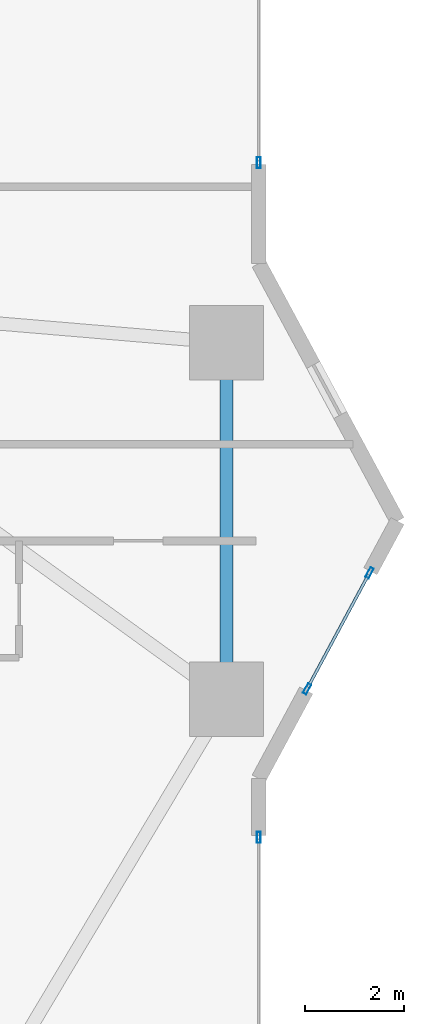
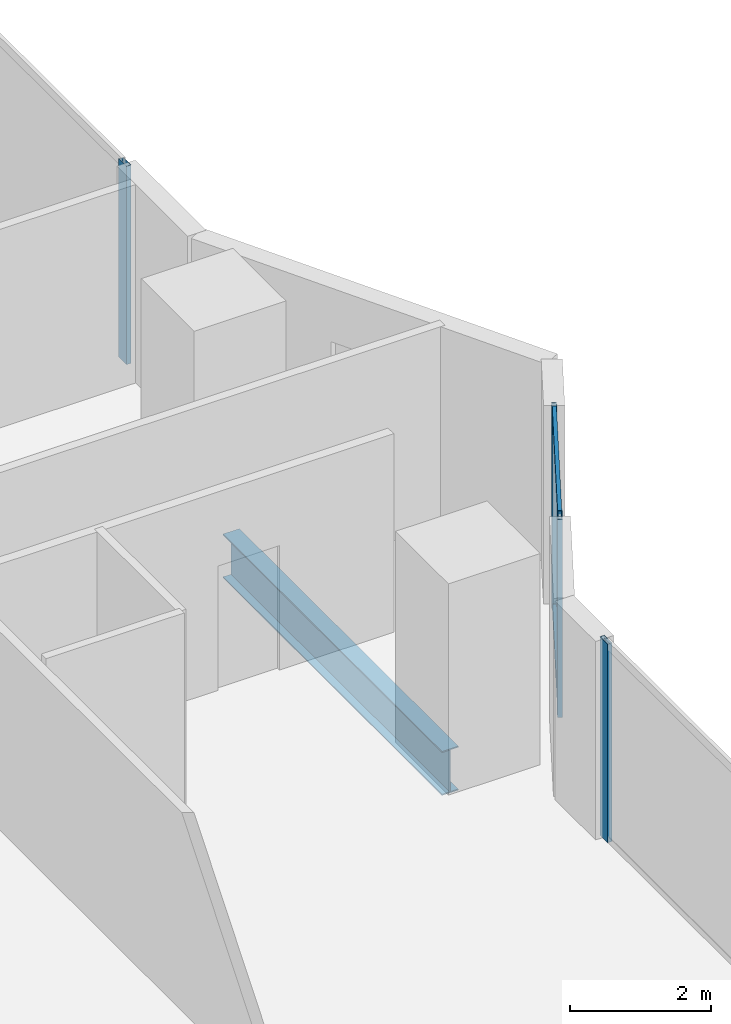
# One storey, part 12 of 28: 6 members, 1 beam, 3 elements without a shape of their own.
"""IFC4 building model written with IfcOpenShell, lengths in metres."""

from ifc_helpers import new_model, si_unit, direction, frame, origin, origin_2d, place, context, subcontext, project, spatial, hollow_rectangle, i_section, extrude, material, layer, layer_set, material_profile, profile_set, type_object, element, aggregate, save


model = new_model("IFC4")

# Units and contexts
model_context = context("Model", 3, precision=1e-05, world=origin(), true_north=direction((0.0, 1.0)))
body_context = subcontext(model_context, "Body", "Model", "MODEL_VIEW")
ifc_project = project(units=[si_unit("LENGTHUNIT", "METRE"), si_unit("AREAUNIT", "SQUARE_METRE"), si_unit("VOLUMEUNIT", "CUBIC_METRE"), si_unit("PLANEANGLEUNIT", "RADIAN"), si_unit("MASSUNIT", "GRAM", prefix="KILO")], contexts=[model_context])

# Site, building, storey
site_placement = place(None, origin())
site = spatial("IfcSite", under=ifc_project, at=site_placement, CompositionType="ELEMENT")
building_placement = place(site_placement, origin())
building = spatial("IfcBuilding", under=site, at=building_placement, Name="Zuhayl Quay Hotel", CompositionType="ELEMENT")
storey_placement = place(building_placement, frame((0.0, 0.0, 78.699951171875)))
storey = spatial("IfcBuildingStorey", under=building, at=storey_placement, Name="L19", CompositionType="ELEMENT", Elevation=78.699951171875)

# Beam
ifc_material_1 = material(Name="Steel ASTM A992 Grade 50", Category="steel")
ifc_material_profile_1 = material_profile(ifc_material_1, i_section(OverallWidth=0.26708984375, OverallDepth=0.761962890625, WebThickness=0.014404296875, FlangeThickness=0.021484375, at=origin_2d()), Name="W30X116")
ifc_profile_set_1 = profile_set([ifc_material_profile_1], Name="Steel ASTM A992 Grade 50")
beam_type = type_object("IfcBeamType", Name="BM_B1_W30X116", PredefinedType="BEAM", material=ifc_profile_set_1)
beam_placement = place(storey_placement, frame((25.050048828125, -3.10009765625, -0.600830078125), z_axis=(0.0, 1.0, 0.0), x_axis=(-1.0, 0.0, 0.0)))
element("IfcBeam", 1, at=beam_placement, inside=storey, type_object=beam_type, Name="L19 Floor Beam RG_L19_05", PredefinedType="BEAM", context=body_context, shape_type="SweptSolid", body=[
    extrude(i_section(OverallWidth=0.26708984375, OverallDepth=0.761962890625, WebThickness=0.014404296875, FlangeThickness=0.021484375, at=origin_2d()), origin(), (0.0, 0.0, 1.0), 6.2001953125),
])

# Curtain wall, member
ifc_material_2 = material(Name="Anodised Aluminium 6063-T6", Category="aluminium")
ifc_layer = layer(ifc_material_2, 0.18994140625, Name="Anodised Aluminium 6063-T6", Category="aluminium")
ifc_layer_set = layer_set([ifc_layer], Name="Anodised Aluminium 6063-T6")
curtain_wall_type = type_object("IfcCurtainWallType", Name="CW_SYS_Z1", PredefinedType="USERDEFINED", material=ifc_layer_set)
curtain_wall_1_placement = place(storey_placement, origin())
curtain_wall_1 = element("IfcCurtainWall", 2, at=curtain_wall_1_placement, inside=storey, type_object=curtain_wall_type, Name="L19 Curtain Wall ENV_L19_E11_CW1", ObjectType="UNITISED CURTAIN WALL", PredefinedType="USERDEFINED")
ifc_material_3 = material(Name="Black-anodised aluminium 6063-T6", Category="aluminium")
ifc_material_profile_2 = material_profile(ifc_material_3, hollow_rectangle(XDim=0.074951171875, YDim=0.219970703125, WallThickness=0.00390625, at=origin_2d()), Name="ALU220X75")
ifc_profile_set_2 = profile_set([ifc_material_profile_2], Name="Black-anodised aluminium 6063-T6")
member_type_1 = type_object("IfcMemberType", Name="MB_CW_MUL_220", PredefinedType="MULLION", material=ifc_profile_set_2)
member_1_placement = place(storey_placement, frame((25.699951171875, 7.237548828125, 0.0), z_axis=(0.0, 0.0, 1.0), x_axis=(1.0, 0.0, 0.0)))
member_1 = element("IfcMember", 3, at=member_1_placement, type_object=member_type_1, Name="CW-Z1 mullion 2", PredefinedType="MULLION", context=body_context, shape_type="SweptSolid", body=[
    extrude(hollow_rectangle(XDim=0.074951171875, YDim=0.219970703125, WallThickness=0.00390625, at=origin_2d()), origin(), (0.0, 0.0, 1.0), 3.429931640625),
])
aggregate(curtain_wall_1, [member_1])

# Curtain wall, members
curtain_wall_2_placement = place(storey_placement, origin())
curtain_wall_2 = element("IfcCurtainWall", 4, at=curtain_wall_2_placement, inside=storey, type_object=curtain_wall_type, Name="L19 Curtain Wall ENV_L19_E13_CW1", ObjectType="UNITISED CURTAIN WALL", PredefinedType="USERDEFINED")
member_2_placement = place(storey_placement, frame((27.93701171875, -1.04541015625, 0.0), z_axis=(0.0, 0.0, 1.0), x_axis=(0.880475795468, -0.474091102632, 0.0)))
member_2 = element("IfcMember", 5, at=member_2_placement, type_object=member_type_1, Name="CW-Z1 mullion 1", PredefinedType="MULLION", context=body_context, shape_type="SweptSolid", body=[
    extrude(hollow_rectangle(XDim=0.074951171875, YDim=0.219970703125, WallThickness=0.00390625, at=origin_2d()), origin(), (0.0, 0.0, 1.0), 3.429931640625),
])
member_3_placement = place(storey_placement, frame((26.67578125, -3.387939453125, 0.0), z_axis=(0.0, 0.0, 1.0), x_axis=(0.880475795468, -0.474091102632, 0.0)))
member_3 = element("IfcMember", 6, at=member_3_placement, type_object=member_type_1, Name="CW-Z1 mullion 2", PredefinedType="MULLION", context=body_context, shape_type="SweptSolid", body=[
    extrude(hollow_rectangle(XDim=0.074951171875, YDim=0.219970703125, WallThickness=0.00390625, at=origin_2d()), origin(), (0.0, 0.0, 1.0), 3.429931640625),
])

# Curtain wall, member
curtain_wall_3_placement = place(storey_placement, origin())
curtain_wall_3 = element("IfcCurtainWall", 7, at=curtain_wall_3_placement, inside=storey, type_object=curtain_wall_type, Name="L19 Curtain Wall ENV_L19_E14_CW1", ObjectType="UNITISED CURTAIN WALL", PredefinedType="USERDEFINED")
member_4_placement = place(storey_placement, frame((25.699951171875, -6.387451171875, 0.0), z_axis=(0.0, 0.0, 1.0), x_axis=(1.0, 0.0, 0.0)))
member_4 = element("IfcMember", 8, at=member_4_placement, type_object=member_type_1, Name="CW-Z1 mullion 1", PredefinedType="MULLION", context=body_context, shape_type="SweptSolid", body=[
    extrude(hollow_rectangle(XDim=0.074951171875, YDim=0.219970703125, WallThickness=0.00390625, at=origin_2d()), origin(), (0.0, 0.0, 1.0), 3.429931640625),
])
aggregate(curtain_wall_3, [member_4])

# Member
ifc_material_profile_3 = material_profile(ifc_material_3, hollow_rectangle(XDim=0.06005859375, YDim=0.14990234375, WallThickness=0.00341796875, at=origin_2d()), Name="ALU150X60")
ifc_profile_set_3 = profile_set([ifc_material_profile_3], Name="Black-anodised aluminium 6063-T6")
member_type_2 = type_object("IfcMemberType", Name="MB_CW_TRN_150", PredefinedType="USERDEFINED", material=ifc_profile_set_3)
member_5_placement = place(storey_placement, frame((27.919189453125, -1.07861328125, 0.030029296875), z_axis=(-0.474054771703, -0.880495356845, 0.0), x_axis=(0.880495356845, -0.474054771703, 0.0)))
member_5 = element("IfcMember", 9, at=member_5_placement, type_object=member_type_2, Name="CW-Z1 transom 1.1", ObjectType="TRANSOM", PredefinedType="USERDEFINED", context=body_context, shape_type="SweptSolid", body=[
    extrude(hollow_rectangle(XDim=0.06005859375, YDim=0.14990234375, WallThickness=0.00341796875, at=origin_2d()), origin(), (0.0, 0.0, 1.0), 2.585205078125),
])

member_6_placement = place(storey_placement, frame((27.919189453125, -1.07861328125, 3.400146484375), z_axis=(-0.474054771703, -0.880495356845, 0.0), x_axis=(0.880495356845, -0.474054771703, 0.0)))
member_6 = element("IfcMember", 10, at=member_6_placement, type_object=member_type_2, Name="CW-Z1 transom 1.2", ObjectType="TRANSOM", PredefinedType="USERDEFINED", context=body_context, shape_type="SweptSolid", body=[
    extrude(hollow_rectangle(XDim=0.06005859375, YDim=0.14990234375, WallThickness=0.00341796875, at=origin_2d()), origin(), (0.0, 0.0, 1.0), 2.585205078125),
])

aggregate(curtain_wall_2, [member_2, member_3, member_5, member_6])

save(model, "model.ifc")
